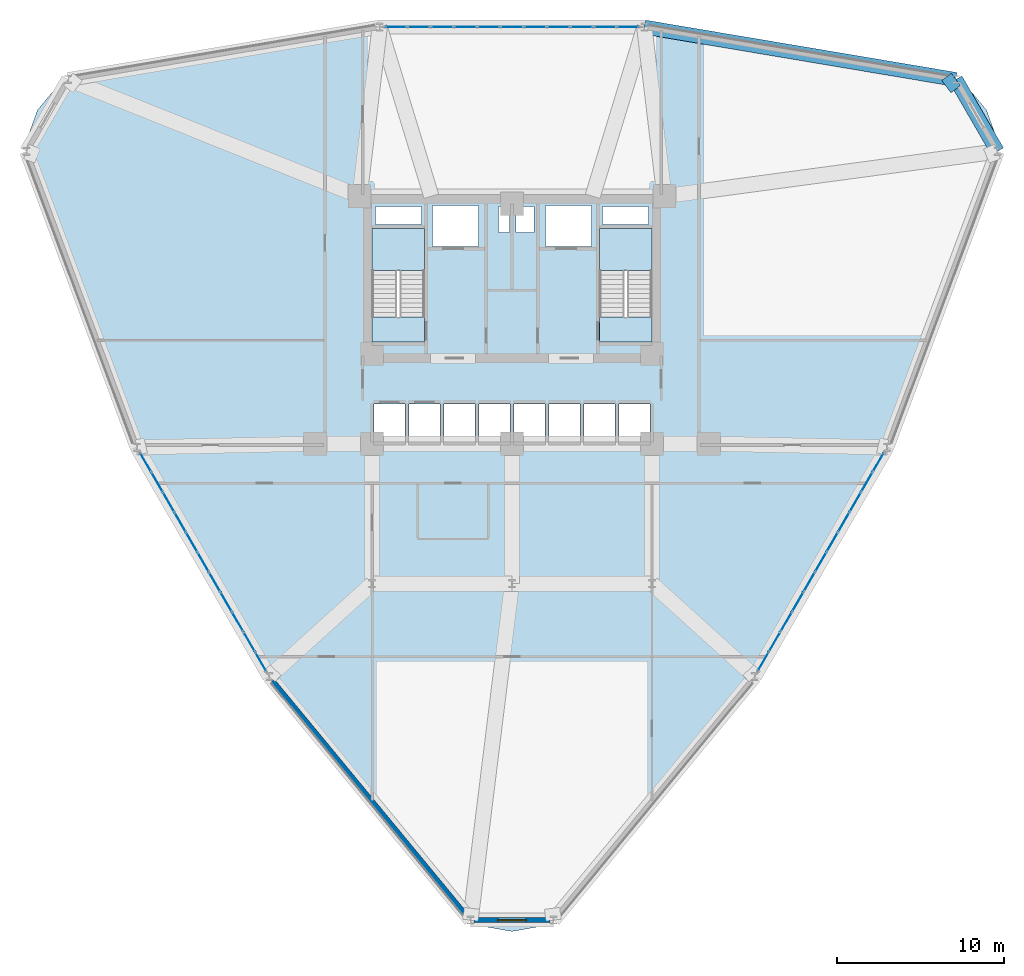
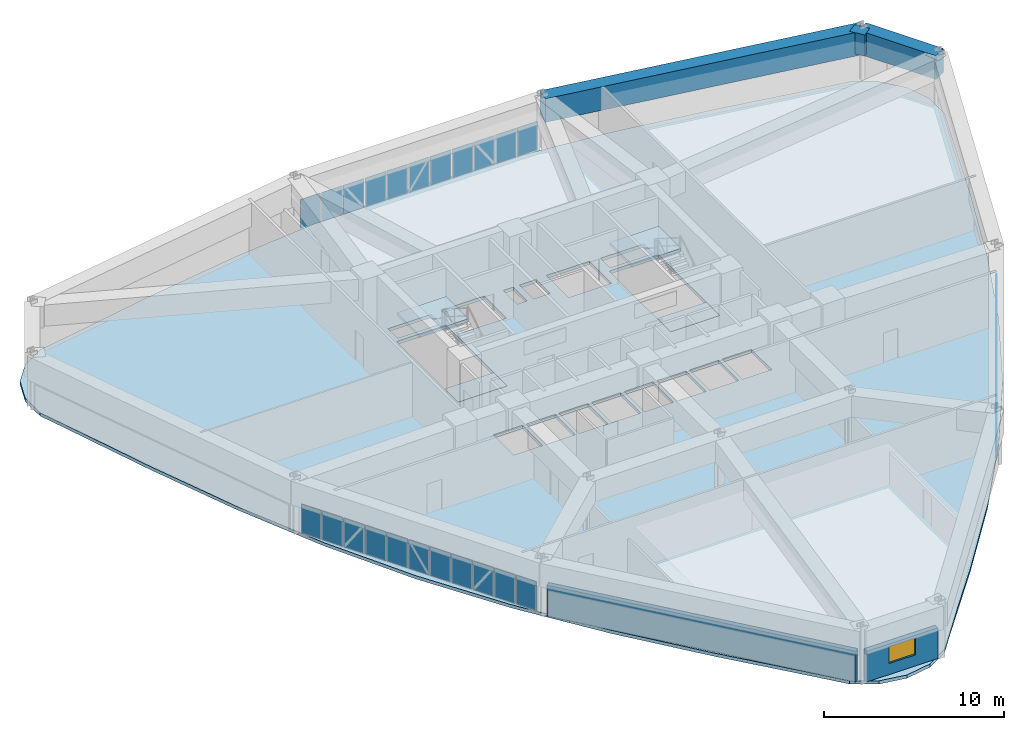
# One storey, part 14 of 20: 33 plates, 5 slabs, 3 beams, 2 walls, 1 window, 1 opening, 5 elements without a shape of their own.
"""IFC4 building model written with IfcOpenShell, lengths in metres."""

from ifc_helpers import new_model, si_unit, derived_unit, direction, frame, frame_2d, origin, origin_2d, place, context, subcontext, project, spatial, polyline, rectangle, outline, extrude, source, transform, mapped, material, layer, layer_set, material_profile, profile_set, type_object, element, fill, aggregate, save


model = new_model("IFC4")

# Units and contexts
model_context = context("Model", 3, precision=1e-05, world=origin(), true_north=direction((0.0, 1.0)))
body_context = subcontext(model_context, "Body", "Model", "MODEL_VIEW")
ifc_project = project(units=[si_unit("LENGTHUNIT", "METRE"), si_unit("AREAUNIT", "SQUARE_METRE"), si_unit("VOLUMEUNIT", "CUBIC_METRE"), si_unit("PLANEANGLEUNIT", "RADIAN"), si_unit("MASSUNIT", "GRAM", prefix="KILO"), derived_unit("THERMALTRANSMITTANCEUNIT", [(si_unit("POWERUNIT", "WATT"), 1), (si_unit("LENGTHUNIT", "METRE"), -2), (si_unit("THERMODYNAMICTEMPERATUREUNIT", "KELVIN"), -1)])], contexts=[model_context])

# Site, building, storey
site_placement = place(None, origin())
site = spatial("IfcSite", under=ifc_project, at=site_placement, CompositionType="ELEMENT")
building_placement = place(site_placement, origin())
building = spatial("IfcBuilding", under=site, at=building_placement, Name="Korsvarv Bourse and Concert Hall", CompositionType="ELEMENT")
storey_placement = place(building_placement, frame((0.0, 0.0, 43.5)))
storey = spatial("IfcBuildingStorey", under=building, at=storey_placement, Name="L10", CompositionType="ELEMENT", Elevation=43.5)

# Beams
ifc_material_1 = material(Name="Concrete C55/67", Category="concrete")
ifc_material_profile_1 = material_profile(ifc_material_1, rectangle(XDim=0.85009765625, YDim=1.60009765625, at=origin_2d()), Name="RC-BM 850x1600")
ifc_profile_set_1 = profile_set([ifc_material_profile_1], Name="Concrete C55/67")
beam_type_1 = type_object("IfcBeamType", Name="BM-TR1B", PredefinedType="BEAM", material=ifc_profile_set_1)
shared_shape_1 = source(origin(), body_context, "Body", "SweptSolid", [
    extrude(rectangle(XDim=0.85009765625, YDim=1.60009765625, at=origin_2d()), origin(), (0.0, 0.0, 1.0), 4.985595703125),
])
beam_1_placement = place(storey_placement, frame((65.1298828125, 49.939697265625, 2.8798828125), z_axis=(-0.499983857782, 0.866034723298, 0.0), x_axis=(-0.866034723298, -0.499983857782, 0.0)))
element("IfcBeam", 1, at=beam_1_placement, inside=storey, type_object=beam_type_1, Name="L10 beam B-TR2", PredefinedType="BEAM", context=body_context, shape_type="MappedRepresentation", body=[
    mapped(shared_shape_1, transform((0.0, 0.0, 0.0), scale=1.0)),
])
shared_shape_2 = source(origin(), body_context, "Body", "SweptSolid", [
    extrude(rectangle(XDim=0.85009765625, YDim=1.60009765625, at=origin_2d()), origin(), (0.0, 0.0, 1.0), 18.95849609375),
])
beam_2_placement = place(storey_placement, frame((62.63720703125, 54.25732421875, 2.8798828125), z_axis=(-0.98615096674, 0.16585014561, 0.0), x_axis=(-0.16585014561, -0.98615096674, 0.0)))
element("IfcBeam", 2, at=beam_2_placement, inside=storey, type_object=beam_type_1, Name="L10 beam B-TR2", PredefinedType="BEAM", context=body_context, shape_type="MappedRepresentation", body=[
    mapped(shared_shape_2, transform((0.0, 0.0, 0.0), scale=1.0)),
])
ifc_material_2 = material(Name="Concrete C50/60", Category="concrete")
ifc_material_profile_2 = material_profile(ifc_material_2, rectangle(XDim=0.919921875, YDim=1.43994140625, at=origin_2d()), Name="RC-BM 920x1440")
ifc_profile_set_2 = profile_set([ifc_material_profile_2], Name="Concrete C50/60")
beam_type_2 = type_object("IfcBeamType", Name="BM-TR-144", PredefinedType="BEAM", material=ifc_profile_set_2)
shared_shape_3 = source(origin(), body_context, "Body", "SweptSolid", [
    extrude(rectangle(XDim=0.919921875, YDim=1.43994140625, at=origin_2d()), origin(), (0.0, 0.0, 1.0), 0.711669921875),
])
beam_3_placement = place(storey_placement, frame((62.63720703125, 54.25732421875, 2.9599609375), z_axis=(-0.798226493664, -0.602357422808, 0.0), x_axis=(0.602357422808, -0.798226493664, 0.0)))
element("IfcBeam", 3, at=beam_3_placement, inside=storey, type_object=beam_type_2, Name="L10 beam B-TR4", PredefinedType="BEAM", context=body_context, shape_type="MappedRepresentation", body=[
    mapped(shared_shape_3, transform((0.0, 0.0, 0.0), scale=1.0)),
])

# Slabs
ifc_material_3 = material(Name="Precast concrete C45/55", Category="concrete")
ifc_layer_1 = layer(ifc_material_3, 0.199951171875)
ifc_layer_set_1 = layer_set([ifc_layer_1], Name="Precast concrete C45/55")
slab_type_1 = type_object("IfcSlabType", Name="SLB-FLND-T", PredefinedType="LANDING", material=ifc_layer_set_1)
slab_1_placement = place(storey_placement, frame((0.0, 0.0, -0.199951171875)))
element("IfcSlab", 4, at=slab_1_placement, inside=storey, type_object=slab_type_1, Name="L10 Stair ST-T1 Floor Landing Slab", PredefinedType="LANDING", context=body_context, shape_type="SweptSolid", body=[
    extrude(outline(polyline([(30.760009765625, 38.5), (30.760009765625, 40.0), (27.60009765625, 40.0), (27.60009765625, 38.5), (30.760009765625, 38.5)])), origin(), (0.0, 0.0, 1.0), 0.199951171875),
])
slab_2_placement = place(storey_placement, frame((0.0, 0.0, -0.199951171875)))
element("IfcSlab", 5, at=slab_2_placement, inside=storey, type_object=slab_type_1, Name="L10 Stair ST-T2 Floor Landing Slab", PredefinedType="LANDING", context=body_context, shape_type="SweptSolid", body=[
    extrude(outline(polyline([(44.39990234375, 38.5), (44.39990234375, 40.0), (41.239990234375, 40.0), (41.239990234375, 38.5), (44.39990234375, 38.5)])), origin(), (0.0, 0.0, 1.0), 0.199951171875),
])

# Stair, slab
stair_type = type_object("IfcStairType", Name="STR-TYPE-03", PredefinedType="HALF_TURN_STAIR", material=ifc_material_3)
stair_1_placement = place(storey_placement, origin())
stair_1 = element("IfcStair", 6, at=stair_1_placement, inside=storey, type_object=stair_type, Name="L10 Tower West Exit Stair ST-T1", PredefinedType="HALF_TURN_STAIR")
ifc_layer_2 = layer(ifc_material_3, 0.199951171875)
ifc_layer_set_2 = layer_set([ifc_layer_2], Name="Precast concrete C45/55")
slab_type_2 = type_object("IfcSlabType", Name="SLB-ST-LND", PredefinedType="LANDING", material=ifc_layer_set_2)
slab_3_placement = place(storey_placement, frame((0.0, 0.0, 1.75)))
slab_3 = element("IfcSlab", 7, at=slab_3_placement, type_object=slab_type_2, Name="ST-T1 landing 1", PredefinedType="LANDING", context=body_context, shape_type="SweptSolid", body=[
    extrude(outline(polyline([(30.760009765625, 42.800048828125), (30.760009765625, 45.300048828125), (27.60009765625, 45.300048828125), (27.60009765625, 42.800048828125), (30.760009765625, 42.800048828125)])), origin(), (0.0, 0.0, 1.0), 0.199951171875),
])
aggregate(stair_1, [slab_3])

stair_2_placement = place(storey_placement, origin())
stair_2 = element("IfcStair", 8, at=stair_2_placement, inside=storey, type_object=stair_type, Name="L10 Tower East Exit Stair ST-T2", PredefinedType="HALF_TURN_STAIR")
slab_4_placement = place(storey_placement, frame((0.0, 0.0, 1.75)))
slab_4 = element("IfcSlab", 9, at=slab_4_placement, type_object=slab_type_2, Name="ST-T2 landing 1", PredefinedType="LANDING", context=body_context, shape_type="SweptSolid", body=[
    extrude(outline(polyline([(44.39990234375, 42.800048828125), (44.39990234375, 45.300048828125), (41.239990234375, 45.300048828125), (41.239990234375, 42.800048828125), (44.39990234375, 42.800048828125)])), origin(), (0.0, 0.0, 1.0), 0.199951171875),
])
aggregate(stair_2, [slab_4])

# Slab
ifc_material_4 = material(Name="Concrete C45/55", Category="concrete")
ifc_layer_3 = layer(ifc_material_4, 0.219970703125)
ifc_layer_set_3 = layer_set([ifc_layer_3], Name="Concrete C45/55")
slab_type_3 = type_object("IfcSlabType", Name="SLB-TW1", PredefinedType="FLOOR", material=ifc_layer_set_3)
slab_5_placement = place(storey_placement, frame((0.0, 0.0, -0.219970703125)))
element("IfcSlab", 10, at=slab_5_placement, inside=storey, type_object=slab_type_3, Name="L10 tower structural floor slab", PredefinedType="FLOOR", context=body_context, shape_type="SweptSolid", body=[
    extrude(outline(polyline([(64.415283203125, 47.536376953125), (62.34765625, 41.712158203125), (60.14013671875, 35.994384765625), (57.66796875, 30.449951171875), (54.845703125, 25.119384765625), (51.640380859375, 20.010009765625), (48.0751953125, 15.0966796875), (44.226806640625, 10.326416015625), (40.216796875, 5.62353515625), (40.21240234375, 5.6181640625), (39.052490234375, 4.23583984375), (37.624267578125, 3.411376953125), (36.0, 3.125), (34.375732421875, 3.411376953125), (32.947509765625, 4.23583984375), (31.78759765625, 5.6181640625), (31.783203125, 5.62353515625), (27.773193359375, 10.326416015625), (23.9248046875, 15.0966796875), (20.359619140625, 20.010009765625), (17.154296875, 25.119384765625), (14.33203125, 30.449951171875), (11.85986328125, 35.994384765625), (9.65234375, 41.712158203125), (7.584716796875, 47.536376953125), (7.58251953125, 47.54296875), (6.96533203125, 49.238525390625), (6.96533203125, 50.8876953125), (7.529296875, 52.4375), (8.589599609375, 53.700927734375), (10.017578125, 54.525390625), (11.794677734375, 54.8388671875), (11.801513671875, 54.840087890625), (17.87939453125, 55.961669921875), (23.934814453125, 56.908935546875), (29.972412109375, 57.5400390625), (36.0, 57.76123046875), (42.027587890625, 57.5400390625), (48.065185546875, 56.908935546875), (54.12060546875, 55.961669921875), (60.198486328125, 54.840087890625), (60.205322265625, 54.8388671875), (61.982421875, 54.525390625), (63.410400390625, 53.700927734375), (64.470703125, 52.4375), (65.03466796875, 50.8876953125), (65.03466796875, 49.238525390625), (64.41748046875, 47.54296875), (64.415283203125, 47.536376953125)]), holes=[polyline([(30.760009765625, 38.5), (30.760009765625, 45.300048828125), (27.60009765625, 45.300048828125), (27.60009765625, 38.5), (30.760009765625, 38.5)]), polyline([(44.39990234375, 38.5), (44.39990234375, 45.300048828125), (41.239990234375, 45.300048828125), (41.239990234375, 38.5), (44.39990234375, 38.5)]), polyline([(31.239990234375, 44.219970703125), (34.0, 44.219970703125), (34.0, 46.679931640625), (31.239990234375, 46.679931640625), (31.239990234375, 44.219970703125)]), polyline([(38.0, 44.219970703125), (40.760009765625, 44.219970703125), (40.760009765625, 46.679931640625), (38.0, 46.679931640625), (38.0, 44.219970703125)]), polyline([(27.719970703125, 32.52001953125), (29.580078125, 32.52001953125), (29.580078125, 34.780029296875), (27.719970703125, 34.780029296875), (27.719970703125, 32.52001953125)]), polyline([(29.820068359375, 32.52001953125), (31.679931640625, 32.52001953125), (31.679931640625, 34.780029296875), (29.820068359375, 34.780029296875), (29.820068359375, 32.52001953125)]), polyline([(31.919921875, 32.52001953125), (33.780029296875, 32.52001953125), (33.780029296875, 34.780029296875), (31.919921875, 34.780029296875), (31.919921875, 32.52001953125)]), polyline([(34.02001953125, 32.52001953125), (35.8798828125, 32.52001953125), (35.8798828125, 34.780029296875), (34.02001953125, 34.780029296875), (34.02001953125, 32.52001953125)]), polyline([(36.1201171875, 32.52001953125), (37.97998046875, 32.52001953125), (37.97998046875, 34.780029296875), (36.1201171875, 34.780029296875), (36.1201171875, 32.52001953125)]), polyline([(38.219970703125, 32.52001953125), (40.080078125, 32.52001953125), (40.080078125, 34.780029296875), (38.219970703125, 34.780029296875), (38.219970703125, 32.52001953125)]), polyline([(40.320068359375, 32.52001953125), (42.179931640625, 32.52001953125), (42.179931640625, 34.780029296875), (40.320068359375, 34.780029296875), (40.320068359375, 32.52001953125)]), polyline([(42.419921875, 32.52001953125), (44.280029296875, 32.52001953125), (44.280029296875, 34.780029296875), (42.419921875, 34.780029296875), (42.419921875, 32.52001953125)]), polyline([(27.800048828125, 45.56005859375), (30.56005859375, 45.56005859375), (30.56005859375, 46.6201171875), (27.800048828125, 46.6201171875), (27.800048828125, 45.56005859375)]), polyline([(41.43994140625, 45.56005859375), (44.199951171875, 45.56005859375), (44.199951171875, 46.6201171875), (41.43994140625, 46.6201171875), (41.43994140625, 45.56005859375)]), polyline([(35.199951171875, 45.080078125), (35.840087890625, 45.080078125), (35.840087890625, 46.6201171875), (35.199951171875, 46.6201171875), (35.199951171875, 45.080078125)]), polyline([(36.239990234375, 45.080078125), (37.320068359375, 45.080078125), (37.320068359375, 46.6201171875), (36.239990234375, 46.6201171875), (36.239990234375, 45.080078125)])]), origin(), (0.0, 0.0, 1.0), 0.219970703125),
])

# Curtain wall, plates
ifc_material_5 = material(Name="Anodised aluminium and triple low-E glazing", Category="glass")
ifc_layer_4 = layer(ifc_material_5, 0.219970703125)
ifc_layer_set_4 = layer_set([ifc_layer_4], Name="Anodised aluminium and triple low-E glazing")
curtain_wall_type = type_object("IfcCurtainWallType", Name="CW-SYS-1", PredefinedType="NOTDEFINED", material=ifc_layer_set_4)
curtain_wall_1_placement = place(storey_placement, origin())
curtain_wall_1 = element("IfcCurtainWall", 11, at=curtain_wall_1_placement, inside=storey, type_object=curtain_wall_type, Name="L10 CW1 curtain wall CW-L10-F03", PredefinedType="NOTDEFINED")
ifc_material_6 = material(Name="Tempered triple insulated low-E architectural glass", Category="glass")
ifc_layer_5 = layer(ifc_material_6, 0.035888671875)
ifc_layer_set_5 = layer_set([ifc_layer_5], Name="Tempered triple insulated low-E architectural glass")
plate_type_1 = type_object("IfcPlateType", Name="CWP-VIS1", PredefinedType="CURTAIN_PANEL", material=ifc_layer_set_5)
shared_shape_4 = source(origin(), body_context, "Body", "SweptSolid", [
    extrude(rectangle(XDim=1.291259765625, YDim=0.035888671875, at=origin_2d()), origin(), (0.0, 0.0, 1.0), 1.949951171875),
])
plate_1_placement = place(storey_placement, frame((42.96337890625, 57.401611328125, 0.06494140625), z_axis=(0.0, 0.0, 1.0), x_axis=(-1.0, 0.0, 0.0)))
plate_1 = element("IfcPlate", 12, at=plate_1_placement, type_object=plate_type_1, Name="CW1 faceted panel 1.1", PredefinedType="CURTAIN_PANEL", context=body_context, shape_type="MappedRepresentation", body=[
    mapped(shared_shape_4, transform((0.0, 0.0, 0.0), scale=1.0)),
])
plate_2_placement = place(storey_placement, frame((29.03662109375, 57.401611328125, 0.06494140625), z_axis=(0.0, 0.0, 1.0), x_axis=(-1.0, 0.0, 0.0)))
plate_2 = element("IfcPlate", 13, at=plate_2_placement, type_object=plate_type_1, Name="CW1 faceted panel 11.1", PredefinedType="CURTAIN_PANEL", context=body_context, shape_type="MappedRepresentation", body=[
    mapped(shared_shape_4, transform((0.0, 0.0, 0.0), scale=1.0)),
])
shared_shape_5 = source(origin(), body_context, "Body", "SweptSolid", [
    extrude(rectangle(XDim=1.326171875, YDim=0.035888671875, at=origin_2d()), origin(), (0.0, 0.0, 1.0), 1.949951171875),
])
plate_3_placement = place(storey_placement, frame((41.584716796875, 57.401611328125, 0.06494140625), z_axis=(0.0, 0.0, 1.0), x_axis=(-1.0, 0.0, 0.0)))
plate_3 = element("IfcPlate", 14, at=plate_3_placement, type_object=plate_type_1, Name="CW1 faceted panel 2.1", PredefinedType="CURTAIN_PANEL", context=body_context, shape_type="MappedRepresentation", body=[
    mapped(shared_shape_5, transform((0.0, 0.0, 0.0), scale=1.0)),
])
plate_4_placement = place(storey_placement, frame((38.79248046875, 57.401611328125, 0.06494140625), z_axis=(0.0, 0.0, 1.0), x_axis=(-1.0, 0.0, 0.0)))
plate_4 = element("IfcPlate", 15, at=plate_4_placement, type_object=plate_type_1, Name="CW1 faceted panel 4.1", PredefinedType="CURTAIN_PANEL", context=body_context, shape_type="MappedRepresentation", body=[
    mapped(shared_shape_5, transform((0.0, 0.0, 0.0), scale=1.0)),
])
plate_5_placement = place(storey_placement, frame((37.396240234375, 57.401611328125, 0.06494140625), z_axis=(0.0, 0.0, 1.0), x_axis=(-1.0, 0.0, 0.0)))
plate_5 = element("IfcPlate", 16, at=plate_5_placement, type_object=plate_type_1, Name="CW1 faceted panel 5.1", PredefinedType="CURTAIN_PANEL", context=body_context, shape_type="MappedRepresentation", body=[
    mapped(shared_shape_5, transform((0.0, 0.0, 0.0), scale=1.0)),
])
plate_6_placement = place(storey_placement, frame((34.603759765625, 57.401611328125, 0.06494140625), z_axis=(0.0, 0.0, 1.0), x_axis=(-1.0, 0.0, 0.0)))
plate_6 = element("IfcPlate", 17, at=plate_6_placement, type_object=plate_type_1, Name="CW1 faceted panel 7.1", PredefinedType="CURTAIN_PANEL", context=body_context, shape_type="MappedRepresentation", body=[
    mapped(shared_shape_5, transform((0.0, 0.0, 0.0), scale=1.0)),
])
plate_7_placement = place(storey_placement, frame((33.20751953125, 57.401611328125, 0.06494140625), z_axis=(0.0, 0.0, 1.0), x_axis=(-1.0, 0.0, 0.0)))
plate_7 = element("IfcPlate", 18, at=plate_7_placement, type_object=plate_type_1, Name="CW1 faceted panel 8.1", PredefinedType="CURTAIN_PANEL", context=body_context, shape_type="MappedRepresentation", body=[
    mapped(shared_shape_5, transform((0.0, 0.0, 0.0), scale=1.0)),
])
plate_8_placement = place(storey_placement, frame((30.415283203125, 57.401611328125, 0.06494140625), z_axis=(0.0, 0.0, 1.0), x_axis=(-1.0, 0.0, 0.0)))
plate_8 = element("IfcPlate", 19, at=plate_8_placement, type_object=plate_type_1, Name="CW1 faceted panel 10.1", PredefinedType="CURTAIN_PANEL", context=body_context, shape_type="MappedRepresentation", body=[
    mapped(shared_shape_5, transform((0.0, 0.0, 0.0), scale=1.0)),
])
ifc_material_7 = material(Name="Insulated spandrel glass", Category="glass")
ifc_layer_6 = layer(ifc_material_7, 0.031982421875)
ifc_layer_set_6 = layer_set([ifc_layer_6], Name="Insulated spandrel glass")
plate_type_2 = type_object("IfcPlateType", Name="CWP-SPD1", PredefinedType="CURTAIN_PANEL", material=ifc_layer_set_6)
shared_shape_6 = source(origin(), body_context, "Body", "SweptSolid", [
    extrude(rectangle(XDim=1.326171875, YDim=0.031982421875, at=origin_2d()), origin(), (0.0, 0.0, 1.0), 1.949951171875),
])
plate_9_placement = place(storey_placement, frame((40.188720703125, 57.401611328125, 0.06494140625), z_axis=(0.0, 0.0, 1.0), x_axis=(-1.0, 0.0, 0.0)))
plate_9 = element("IfcPlate", 20, at=plate_9_placement, type_object=plate_type_2, Name="CW1 spandrel shadow-box panel 3.1", PredefinedType="CURTAIN_PANEL", context=body_context, shape_type="MappedRepresentation", body=[
    mapped(shared_shape_6, transform((0.0, 0.0, 0.0), scale=1.0)),
])
plate_10_placement = place(storey_placement, frame((36.0, 57.401611328125, 0.06494140625), z_axis=(0.0, 0.0, 1.0), x_axis=(-1.0, 0.0, 0.0)))
plate_10 = element("IfcPlate", 21, at=plate_10_placement, type_object=plate_type_2, Name="CW1 spandrel shadow-box panel 6.1", PredefinedType="CURTAIN_PANEL", context=body_context, shape_type="MappedRepresentation", body=[
    mapped(shared_shape_6, transform((0.0, 0.0, 0.0), scale=1.0)),
])
plate_11_placement = place(storey_placement, frame((31.811279296875, 57.401611328125, 0.06494140625), z_axis=(0.0, 0.0, 1.0), x_axis=(-1.0, 0.0, 0.0)))
plate_11 = element("IfcPlate", 22, at=plate_11_placement, type_object=plate_type_2, Name="CW1 spandrel shadow-box panel 9.1", PredefinedType="CURTAIN_PANEL", context=body_context, shape_type="MappedRepresentation", body=[
    mapped(shared_shape_6, transform((0.0, 0.0, 0.0), scale=1.0)),
])
aggregate(curtain_wall_1, [plate_1, plate_3, plate_9, plate_4, plate_5, plate_10, plate_6, plate_7, plate_11, plate_8, plate_2])

curtain_wall_2_placement = place(storey_placement, origin())
curtain_wall_2 = element("IfcCurtainWall", 23, at=curtain_wall_2_placement, inside=storey, type_object=curtain_wall_type, Name="L10 CW1 curtain wall CW-L10-F07", PredefinedType="NOTDEFINED")
shared_shape_7 = source(origin(), body_context, "Body", "SweptSolid", [
    extrude(rectangle(XDim=1.278564453125, YDim=0.035888671875, at=origin_2d()), origin(), (0.0, 0.0, 1.0), 1.949951171875),
])
plate_12_placement = place(storey_placement, frame((14.015625, 31.275146484375, 0.06494140625), z_axis=(0.0, 0.0, 1.0), x_axis=(0.499999630998, -0.866025616828, 0.0)))
plate_12 = element("IfcPlate", 24, at=plate_12_placement, type_object=plate_type_1, Name="CW1 faceted panel 1.1", PredefinedType="CURTAIN_PANEL", context=body_context, shape_type="MappedRepresentation", body=[
    mapped(shared_shape_7, transform((0.0, 0.0, 0.0), scale=1.0)),
])
plate_13_placement = place(storey_placement, frame((20.916015625, 19.3232421875, 0.06494140625), z_axis=(0.0, 0.0, 1.0), x_axis=(0.499999630998, -0.866025616828, 0.0)))
plate_13 = element("IfcPlate", 25, at=plate_13_placement, type_object=plate_type_1, Name="CW1 faceted panel 11.1", PredefinedType="CURTAIN_PANEL", context=body_context, shape_type="MappedRepresentation", body=[
    mapped(shared_shape_7, transform((0.0, 0.0, 0.0), scale=1.0)),
])

curtain_wall_3_placement = place(storey_placement, origin())
curtain_wall_3 = element("IfcCurtainWall", 26, at=curtain_wall_3_placement, inside=storey, type_object=curtain_wall_type, Name="L10 CW1 curtain wall CW-L10-F11", PredefinedType="NOTDEFINED")
plate_14_placement = place(storey_placement, frame((51.083984375, 19.3232421875, 0.06494140625), z_axis=(0.0, 0.0, 1.0), x_axis=(0.499999630998, 0.866025616828, 0.0)))
plate_14 = element("IfcPlate", 27, at=plate_14_placement, type_object=plate_type_1, Name="CW1 faceted panel 1.1", PredefinedType="CURTAIN_PANEL", context=body_context, shape_type="MappedRepresentation", body=[
    mapped(shared_shape_7, transform((0.0, 0.0, 0.0), scale=1.0)),
])
plate_15_placement = place(storey_placement, frame((57.984375, 31.275146484375, 0.06494140625), z_axis=(0.0, 0.0, 1.0), x_axis=(0.499999630998, 0.866025616828, 0.0)))
plate_15 = element("IfcPlate", 28, at=plate_15_placement, type_object=plate_type_1, Name="CW1 faceted panel 11.1", PredefinedType="CURTAIN_PANEL", context=body_context, shape_type="MappedRepresentation", body=[
    mapped(shared_shape_7, transform((0.0, 0.0, 0.0), scale=1.0)),
])

# Plate
shared_shape_8 = source(origin(), body_context, "Body", "SweptSolid", [
    extrude(rectangle(XDim=1.3134765625, YDim=0.035888671875, at=origin_2d()), origin(), (0.0, 0.0, 1.0), 1.949951171875),
])
plate_16_placement = place(storey_placement, frame((14.698486328125, 30.092041015625, 0.06494140625), z_axis=(0.0, 0.0, 1.0), x_axis=(0.499999630998, -0.866025616828, 0.0)))
plate_16 = element("IfcPlate", 29, at=plate_16_placement, type_object=plate_type_1, Name="CW1 faceted panel 2.1", PredefinedType="CURTAIN_PANEL", context=body_context, shape_type="MappedRepresentation", body=[
    mapped(shared_shape_8, transform((0.0, 0.0, 0.0), scale=1.0)),
])

plate_17_placement = place(storey_placement, frame((16.082275390625, 27.695556640625, 0.06494140625), z_axis=(0.0, 0.0, 1.0), x_axis=(0.499999630998, -0.866025616828, 0.0)))
plate_17 = element("IfcPlate", 30, at=plate_17_placement, type_object=plate_type_1, Name="CW1 faceted panel 4.1", PredefinedType="CURTAIN_PANEL", context=body_context, shape_type="MappedRepresentation", body=[
    mapped(shared_shape_8, transform((0.0, 0.0, 0.0), scale=1.0)),
])

plate_18_placement = place(storey_placement, frame((16.77392578125, 26.497314453125, 0.06494140625), z_axis=(0.0, 0.0, 1.0), x_axis=(0.499999630998, -0.866025616828, 0.0)))
plate_18 = element("IfcPlate", 31, at=plate_18_placement, type_object=plate_type_1, Name="CW1 faceted panel 5.1", PredefinedType="CURTAIN_PANEL", context=body_context, shape_type="MappedRepresentation", body=[
    mapped(shared_shape_8, transform((0.0, 0.0, 0.0), scale=1.0)),
])

plate_19_placement = place(storey_placement, frame((18.157470703125, 24.10107421875, 0.06494140625), z_axis=(0.0, 0.0, 1.0), x_axis=(0.499999630998, -0.866025616828, 0.0)))
plate_19 = element("IfcPlate", 32, at=plate_19_placement, type_object=plate_type_1, Name="CW1 faceted panel 7.1", PredefinedType="CURTAIN_PANEL", context=body_context, shape_type="MappedRepresentation", body=[
    mapped(shared_shape_8, transform((0.0, 0.0, 0.0), scale=1.0)),
])

plate_20_placement = place(storey_placement, frame((18.849365234375, 22.90283203125, 0.06494140625), z_axis=(0.0, 0.0, 1.0), x_axis=(0.499999630998, -0.866025616828, 0.0)))
plate_20 = element("IfcPlate", 33, at=plate_20_placement, type_object=plate_type_1, Name="CW1 faceted panel 8.1", PredefinedType="CURTAIN_PANEL", context=body_context, shape_type="MappedRepresentation", body=[
    mapped(shared_shape_8, transform((0.0, 0.0, 0.0), scale=1.0)),
])

plate_21_placement = place(storey_placement, frame((20.23291015625, 20.50634765625, 0.06494140625), z_axis=(0.0, 0.0, 1.0), x_axis=(0.499999630998, -0.866025616828, 0.0)))
plate_21 = element("IfcPlate", 34, at=plate_21_placement, type_object=plate_type_1, Name="CW1 faceted panel 10.1", PredefinedType="CURTAIN_PANEL", context=body_context, shape_type="MappedRepresentation", body=[
    mapped(shared_shape_8, transform((0.0, 0.0, 0.0), scale=1.0)),
])

plate_22_placement = place(storey_placement, frame((51.76708984375, 20.50634765625, 0.06494140625), z_axis=(0.0, 0.0, 1.0), x_axis=(0.499999630998, 0.866025616828, 0.0)))
plate_22 = element("IfcPlate", 35, at=plate_22_placement, type_object=plate_type_1, Name="CW1 faceted panel 2.1", PredefinedType="CURTAIN_PANEL", context=body_context, shape_type="MappedRepresentation", body=[
    mapped(shared_shape_8, transform((0.0, 0.0, 0.0), scale=1.0)),
])

plate_23_placement = place(storey_placement, frame((53.150634765625, 22.90283203125, 0.06494140625), z_axis=(0.0, 0.0, 1.0), x_axis=(0.499999630998, 0.866025616828, 0.0)))
plate_23 = element("IfcPlate", 36, at=plate_23_placement, type_object=plate_type_1, Name="CW1 faceted panel 4.1", PredefinedType="CURTAIN_PANEL", context=body_context, shape_type="MappedRepresentation", body=[
    mapped(shared_shape_8, transform((0.0, 0.0, 0.0), scale=1.0)),
])

plate_24_placement = place(storey_placement, frame((53.842529296875, 24.10107421875, 0.06494140625), z_axis=(0.0, 0.0, 1.0), x_axis=(0.499999630998, 0.866025616828, 0.0)))
plate_24 = element("IfcPlate", 37, at=plate_24_placement, type_object=plate_type_1, Name="CW1 faceted panel 5.1", PredefinedType="CURTAIN_PANEL", context=body_context, shape_type="MappedRepresentation", body=[
    mapped(shared_shape_8, transform((0.0, 0.0, 0.0), scale=1.0)),
])

plate_25_placement = place(storey_placement, frame((55.22607421875, 26.497314453125, 0.06494140625), z_axis=(0.0, 0.0, 1.0), x_axis=(0.499999630998, 0.866025616828, 0.0)))
plate_25 = element("IfcPlate", 38, at=plate_25_placement, type_object=plate_type_1, Name="CW1 faceted panel 7.1", PredefinedType="CURTAIN_PANEL", context=body_context, shape_type="MappedRepresentation", body=[
    mapped(shared_shape_8, transform((0.0, 0.0, 0.0), scale=1.0)),
])

plate_26_placement = place(storey_placement, frame((55.917724609375, 27.695556640625, 0.06494140625), z_axis=(0.0, 0.0, 1.0), x_axis=(0.499999630998, 0.866025616828, 0.0)))
plate_26 = element("IfcPlate", 39, at=plate_26_placement, type_object=plate_type_1, Name="CW1 faceted panel 8.1", PredefinedType="CURTAIN_PANEL", context=body_context, shape_type="MappedRepresentation", body=[
    mapped(shared_shape_8, transform((0.0, 0.0, 0.0), scale=1.0)),
])

plate_27_placement = place(storey_placement, frame((57.301513671875, 30.092041015625, 0.06494140625), z_axis=(0.0, 0.0, 1.0), x_axis=(0.499999630998, 0.866025616828, 0.0)))
plate_27 = element("IfcPlate", 40, at=plate_27_placement, type_object=plate_type_1, Name="CW1 faceted panel 10.1", PredefinedType="CURTAIN_PANEL", context=body_context, shape_type="MappedRepresentation", body=[
    mapped(shared_shape_8, transform((0.0, 0.0, 0.0), scale=1.0)),
])

shared_shape_9 = source(origin(), body_context, "Body", "SweptSolid", [
    extrude(rectangle(XDim=1.3134765625, YDim=0.031982421875, at=origin_2d()), origin(), (0.0, 0.0, 1.0), 1.949951171875),
])
plate_28_placement = place(storey_placement, frame((15.390380859375, 28.893798828125, 0.06494140625), z_axis=(0.0, 0.0, 1.0), x_axis=(0.499999630998, -0.866025616828, 0.0)))
plate_28 = element("IfcPlate", 41, at=plate_28_placement, type_object=plate_type_2, Name="CW1 spandrel shadow-box panel 3.1", PredefinedType="CURTAIN_PANEL", context=body_context, shape_type="MappedRepresentation", body=[
    mapped(shared_shape_9, transform((0.0, 0.0, 0.0), scale=1.0)),
])

plate_29_placement = place(storey_placement, frame((17.4658203125, 25.29931640625, 0.06494140625), z_axis=(0.0, 0.0, 1.0), x_axis=(0.499999630998, -0.866025616828, 0.0)))
plate_29 = element("IfcPlate", 42, at=plate_29_placement, type_object=plate_type_2, Name="CW1 spandrel shadow-box panel 6.1", PredefinedType="CURTAIN_PANEL", context=body_context, shape_type="MappedRepresentation", body=[
    mapped(shared_shape_9, transform((0.0, 0.0, 0.0), scale=1.0)),
])

plate_30_placement = place(storey_placement, frame((19.541015625, 21.70458984375, 0.06494140625), z_axis=(0.0, 0.0, 1.0), x_axis=(0.499999630998, -0.866025616828, 0.0)))
plate_30 = element("IfcPlate", 43, at=plate_30_placement, type_object=plate_type_2, Name="CW1 spandrel shadow-box panel 9.1", PredefinedType="CURTAIN_PANEL", context=body_context, shape_type="MappedRepresentation", body=[
    mapped(shared_shape_9, transform((0.0, 0.0, 0.0), scale=1.0)),
])

aggregate(curtain_wall_2, [plate_12, plate_16, plate_28, plate_17, plate_18, plate_29, plate_19, plate_20, plate_30, plate_21, plate_13])

plate_31_placement = place(storey_placement, frame((52.458984375, 21.70458984375, 0.06494140625), z_axis=(0.0, 0.0, 1.0), x_axis=(0.499999630998, 0.866025616828, 0.0)))
plate_31 = element("IfcPlate", 44, at=plate_31_placement, type_object=plate_type_2, Name="CW1 spandrel shadow-box panel 3.1", PredefinedType="CURTAIN_PANEL", context=body_context, shape_type="MappedRepresentation", body=[
    mapped(shared_shape_9, transform((0.0, 0.0, 0.0), scale=1.0)),
])

plate_32_placement = place(storey_placement, frame((54.5341796875, 25.29931640625, 0.06494140625), z_axis=(0.0, 0.0, 1.0), x_axis=(0.499999630998, 0.866025616828, 0.0)))
plate_32 = element("IfcPlate", 45, at=plate_32_placement, type_object=plate_type_2, Name="CW1 spandrel shadow-box panel 6.1", PredefinedType="CURTAIN_PANEL", context=body_context, shape_type="MappedRepresentation", body=[
    mapped(shared_shape_9, transform((0.0, 0.0, 0.0), scale=1.0)),
])

plate_33_placement = place(storey_placement, frame((56.609619140625, 28.893798828125, 0.06494140625), z_axis=(0.0, 0.0, 1.0), x_axis=(0.499999630998, 0.866025616828, 0.0)))
plate_33 = element("IfcPlate", 46, at=plate_33_placement, type_object=plate_type_2, Name="CW1 spandrel shadow-box panel 9.1", PredefinedType="CURTAIN_PANEL", context=body_context, shape_type="MappedRepresentation", body=[
    mapped(shared_shape_9, transform((0.0, 0.0, 0.0), scale=1.0)),
])

aggregate(curtain_wall_3, [plate_14, plate_22, plate_31, plate_23, plate_24, plate_32, plate_25, plate_26, plate_33, plate_27, plate_15])

# Wall, opening, window
ifc_material_8 = material(Name="Precast concrete C45/55 with terracotta rainscreen", Category="concrete")
ifc_layer_7 = layer(ifc_material_8, 0.300048828125)
ifc_layer_set_7 = layer_set([ifc_layer_7], Name="Precast concrete C45/55 with terracotta rainscreen")
wall_type_1 = type_object("IfcWallType", Name="WL-EXT-TC1", PredefinedType="SOLIDWALL", material=ifc_layer_set_7)
wall_1_placement = place(storey_placement, frame((33.72412109375, 3.802978515625, 0.0), z_axis=(0.0, 0.0, 1.0), x_axis=(1.0, 0.0, 0.0)))
wall_1 = element("IfcWall", 47, at=wall_1_placement, inside=storey, type_object=wall_type_1, Name="L10 terracotta exterior wall EW-L10-B09", PredefinedType="SOLIDWALL", context=body_context, shape_type="SweptSolid", body=[
    extrude(rectangle(XDim=4.5517578125, YDim=0.300048828125, at=frame_2d((2.27587890625, 0.0))), origin(), (0.0, 0.0, 1.0), 2.080078125),
])
opening_placement = place(wall_1_placement, frame((1.42578125, 0.0, 0.75)))
opening = element("IfcOpeningElement", 48, at=opening_placement, cuts=wall_1, Name="Opening W-06", PredefinedType="OPENING", context=body_context, shape_type="SweptSolid", body=[
    extrude(rectangle(XDim=1.699951171875, YDim=1.14990234375, at=frame_2d((0.85009765625, 0.574951171875))), frame((0.0, 0.16015625, 0.0), z_axis=(0.0, -1.0, 0.0), x_axis=(1.0, 0.0, 0.0)), (0.0, 0.0, 1.0), 0.320068359375),
])
ifc_material_9 = material(Name="Thermally broken aluminium frame with triple low-E glass", Category="glass")
window_type = type_object("IfcWindowType", Name="WIN-TW1-1700X1150", PartitioningType="SINGLE_PANEL", PredefinedType="WINDOW", material=ifc_material_9)
window_placement = place(opening_placement, origin())
window = element("IfcWindow", 49, at=window_placement, inside=storey, type_object=window_type, Name="L10 punched facade window W-06", OverallHeight=1.14990234375, OverallWidth=1.699951171875, PartitioningType="SINGLE_PANEL", PredefinedType="WINDOW", context=body_context, shape_type="SweptSolid", body=[
    extrude(rectangle(XDim=1.699951171875, YDim=1.14990234375, at=frame_2d((0.85009765625, 0.574951171875))), frame((0.0, 0.030029296875, 0.0), z_axis=(0.0, -1.0, 0.0), x_axis=(1.0, 0.0, 0.0)), (0.0, 0.0, 1.0), 0.06005859375),
])
fill(opening, window)

# Wall
ifc_material_10 = material(Name="Precast concrete C45/55 with fluted terracotta pier", Category="concrete")
ifc_layer_8 = layer(ifc_material_10, 0.280029296875)
ifc_layer_set_8 = layer_set([ifc_layer_8], Name="Precast concrete C45/55 with fluted terracotta pier")
wall_type_2 = type_object("IfcWallType", Name="WL-EXT-TC2", PredefinedType="SOLIDWALL", material=ifc_layer_set_8)
wall_2_placement = place(storey_placement, frame((21.635986328125, 18.179931640625, 0.0), z_axis=(0.0, 0.0, 1.0), x_axis=(0.636707615974, -0.771105318203, 0.0)))
element("IfcWall", 50, at=wall_2_placement, inside=storey, type_object=wall_type_2, Name="L10 terracotta exterior wall EW-L10-B08", PredefinedType="SOLIDWALL", context=body_context, shape_type="SweptSolid", body=[
    extrude(rectangle(XDim=18.330810546875, YDim=0.280029296875, at=frame_2d((9.16552734375, 0.0))), origin(), (0.0, 0.0, 1.0), 2.080078125),
])

save(model, "model.ifc")
